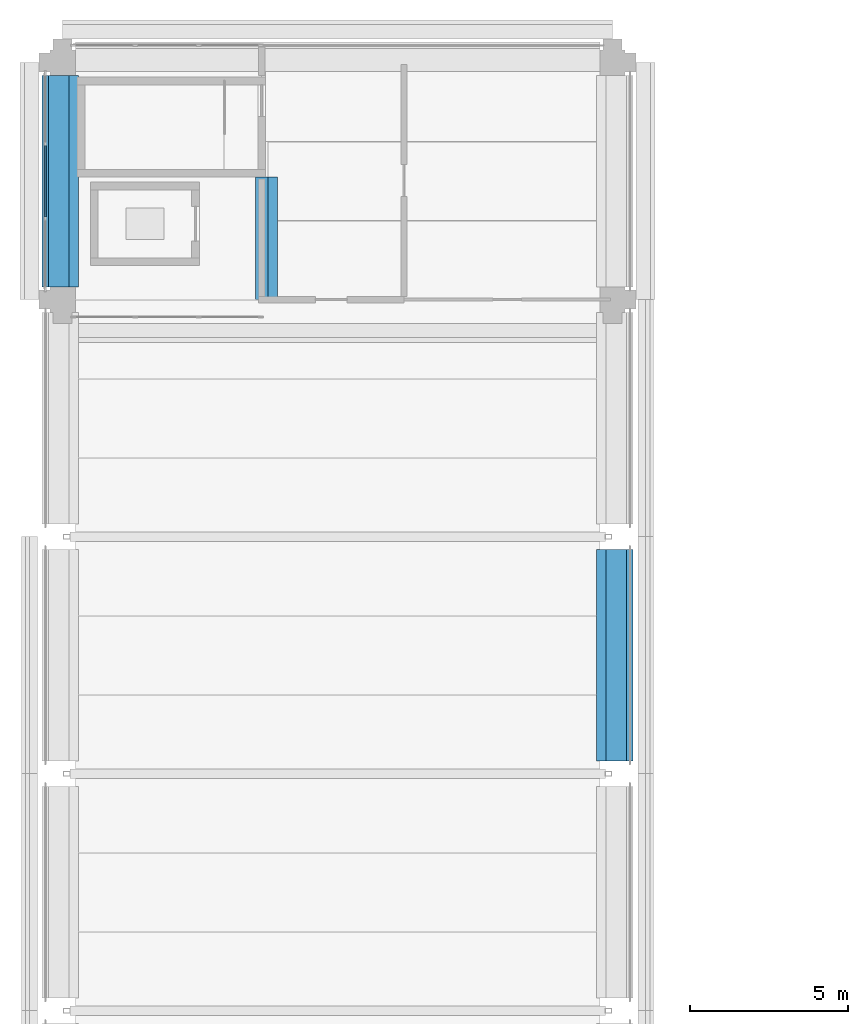
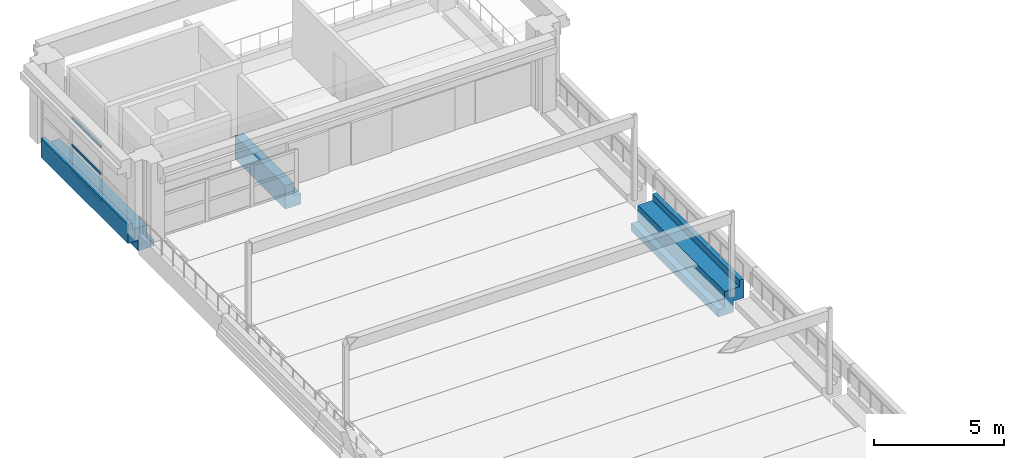
# One storey, part 21 of 62: 3 beams, 3 members, 1 element without a shape of its own.
"""IFC4 building model written with IfcOpenShell, lengths in metres."""

from ifc_helpers import new_model, si_unit, direction, frame, origin, origin_2d, place, context, subcontext, project, spatial, polyline, rectangle, outline, extrude, material, layer, layer_set, material_profile, profile_set, type_object, element, aggregate, save


model = new_model("IFC4")

# Units and contexts
model_context = context("Model", 3, precision=1e-05, world=origin(), true_north=direction((0.0, 1.0)))
body_context = subcontext(model_context, "Body", "Model", "MODEL_VIEW")
ifc_project = project(units=[si_unit("LENGTHUNIT", "METRE"), si_unit("AREAUNIT", "SQUARE_METRE"), si_unit("VOLUMEUNIT", "CUBIC_METRE"), si_unit("PLANEANGLEUNIT", "RADIAN"), si_unit("MASSUNIT", "GRAM", prefix="KILO")], contexts=[model_context])

# Site, building, storey
site_placement = place(None, origin())
site = spatial("IfcSite", under=ifc_project, at=site_placement, CompositionType="ELEMENT")
building_placement = place(site_placement, origin())
building = spatial("IfcBuilding", under=site, at=building_placement, Name="Cour d'Honneur Mobility Palace", CompositionType="ELEMENT")
storey_placement = place(building_placement, frame((0.0, 0.0, 19.300048828125)))
storey = spatial("IfcBuildingStorey", under=building, at=storey_placement, Name="L05", CompositionType="ELEMENT", Elevation=19.300048828125)

# Curtain wall, members
ifc_material_1 = material(Name="Aluminium and glass", Category="aluminium")
ifc_layer = layer(ifc_material_1, 0.10009765625)
ifc_layer_set = layer_set([ifc_layer], Name="Aluminium and glass")
curtain_wall_type = type_object("IfcCurtainWallType", Name="Curtain wall run", PredefinedType="NOTDEFINED", material=ifc_layer_set)
curtain_wall_placement = place(storey_placement, origin())
curtain_wall = element("IfcCurtainWall", 1, at=curtain_wall_placement, inside=storey, type_object=curtain_wall_type, Name="Curtain wall CW-133", PredefinedType="NOTDEFINED")
ifc_material_2 = material(Name="Aluminium", Category="aluminium")
ifc_material_profile_1 = material_profile(ifc_material_2, rectangle(XDim=0.06005859375, YDim=0.1201171875, at=origin_2d()), Name="Curtain wall transom")
ifc_profile_set_1 = profile_set([ifc_material_profile_1], Name="Aluminium")
member_type = type_object("IfcMemberType", Name="Curtain wall transom", PredefinedType="USERDEFINED", material=ifc_profile_set_1)
member_1_placement = place(storey_placement, frame((-0.550048828125, 112.27001953125, 0.030029296875), z_axis=(0.0, -1.0, 0.0), x_axis=(1.0, 0.0, 0.0)))
member_1 = element("IfcMember", 2, at=member_1_placement, type_object=member_type, Name="CW-133 transom 2.1", ObjectType="TRANSOM", PredefinedType="USERDEFINED", context=body_context, shape_type="SweptSolid", body=[
    extrude(rectangle(XDim=0.06005859375, YDim=0.1201171875, at=origin_2d()), origin(), (0.0, 0.0, 1.0), 2.239990234375),
])
member_2_placement = place(storey_placement, frame((-0.550048828125, 112.27001953125, 1.300048828125), z_axis=(0.0, -1.0, 0.0), x_axis=(1.0, 0.0, 0.0)))
member_2 = element("IfcMember", 3, at=member_2_placement, type_object=member_type, Name="CW-133 transom 2.2", ObjectType="TRANSOM", PredefinedType="USERDEFINED", context=body_context, shape_type="SweptSolid", body=[
    extrude(rectangle(XDim=0.06005859375, YDim=0.1201171875, at=origin_2d()), origin(), (0.0, 0.0, 1.0), 2.239990234375),
])
member_3_placement = place(storey_placement, frame((-0.550048828125, 112.27001953125, 2.570068359375), z_axis=(0.0, -1.0, 0.0), x_axis=(1.0, 0.0, 0.0)))
member_3 = element("IfcMember", 4, at=member_3_placement, type_object=member_type, Name="CW-133 transom 2.3", ObjectType="TRANSOM", PredefinedType="USERDEFINED", context=body_context, shape_type="SweptSolid", body=[
    extrude(rectangle(XDim=0.06005859375, YDim=0.1201171875, at=origin_2d()), origin(), (0.0, 0.0, 1.0), 2.239990234375),
])
aggregate(curtain_wall, [member_1, member_2, member_3])

# Beams
ifc_material_3 = material(Name="Concrete C45", Category="concrete")
ifc_material_profile_2 = material_profile(ifc_material_3, outline(polyline([(0.5, -1.10009765625), (0.5, -0.75), (0.199951171875, -0.75), (0.199951171875, 0.0), (-0.199951171875, 0.0), (-0.449951171875, 0.0), (-0.449951171875, 0.300048828125), (-0.64990234375, 0.300048828125), (-0.64990234375, -0.60009765625), (-0.199951171875, -0.60009765625), (-0.199951171875, -1.10009765625), (0.5, -1.10009765625)])), Name="Ledger Beam 400x1100 ledge left 350 facade right")
ifc_profile_set_2 = profile_set([ifc_material_profile_2], Name="Concrete C45")
beam_type_1 = type_object("IfcBeamType", Name="Ledger Beam 400x1100 ledge left 350 facade right", PredefinedType="BEAM", material=ifc_profile_set_2)
beam_1_placement = place(storey_placement, frame((17.39990234375, 92.800048828125, 0.0), z_axis=(0.0, 1.0, 0.0), x_axis=(-1.0, 0.0, 0.0)))
element("IfcBeam", 5, at=beam_1_placement, inside=storey, type_object=beam_type_1, Name="Precast beam B2 M-N L05", PredefinedType="BEAM", context=body_context, shape_type="SweptSolid", body=[
    extrude(outline(polyline([(0.5, -1.10009765625), (0.5, -0.75), (0.199951171875, -0.75), (0.199951171875, 0.0), (-0.199951171875, 0.0), (-0.449951171875, 0.0), (-0.449951171875, 0.300048828125), (-0.64990234375, 0.300048828125), (-0.64990234375, -0.60009765625), (-0.199951171875, -0.60009765625), (-0.199951171875, -1.10009765625), (0.5, -1.10009765625)])), origin(), (0.0, 0.0, 1.0), 6.699951171875),
])
ifc_material_4 = material(Name="Concrete C45", Category="concrete")
ifc_material_profile_3 = material_profile(ifc_material_4, outline(polyline([(0.199951171875, -1.10009765625), (0.199951171875, -0.60009765625), (0.64990234375, -0.60009765625), (0.64990234375, 0.300048828125), (0.449951171875, 0.300048828125), (0.449951171875, 0.0), (0.199951171875, 0.0), (-0.199951171875, 0.0), (-0.199951171875, -0.800048828125), (-0.5, -0.800048828125), (-0.5, -1.10009765625), (0.199951171875, -1.10009765625)])), Name="Ledger Beam 400x1100 ledge right 300 facade left")
ifc_profile_set_3 = profile_set([ifc_material_profile_3], Name="Concrete C45")
beam_type_2 = type_object("IfcBeamType", Name="Ledger Beam 400x1100 ledge right 300 facade left", PredefinedType="BEAM", material=ifc_profile_set_3)
beam_2_placement = place(storey_placement, frame((0.0, 107.800048828125, 0.0), z_axis=(0.0, 1.0, 0.0), x_axis=(-1.0, 0.0, 0.0)))
element("IfcBeam", 6, at=beam_2_placement, inside=storey, type_object=beam_type_2, Name="Precast beam B6 P-Q L05", PredefinedType="BEAM", context=body_context, shape_type="SweptSolid", body=[
    extrude(outline(polyline([(0.199951171875, -1.10009765625), (0.199951171875, -0.60009765625), (0.64990234375, -0.60009765625), (0.64990234375, 0.300048828125), (0.449951171875, 0.300048828125), (0.449951171875, 0.0), (0.199951171875, 0.0), (-0.199951171875, 0.0), (-0.199951171875, -0.800048828125), (-0.5, -0.800048828125), (-0.5, -1.10009765625), (0.199951171875, -1.10009765625)])), origin(), (0.0, 0.0, 1.0), 6.699951171875),
])
ifc_material_5 = material(Name="Concrete C45", Category="concrete")
ifc_material_profile_4 = material_profile(ifc_material_5, outline(polyline([(0.199951171875, -1.10009765625), (0.199951171875, 0.0), (-0.199951171875, 0.0), (-0.199951171875, -0.60009765625), (-0.5, -0.60009765625), (-0.5, -1.10009765625), (0.199951171875, -1.10009765625)])), Name="Ledger Beam 400x1100 ledge right 500 plain")
ifc_profile_set_4 = profile_set([ifc_material_profile_4], Name="Concrete C45")
beam_type_3 = type_object("IfcBeamType", Name="Ledger Beam 400x1100 ledge right 500 plain", PredefinedType="BEAM", material=ifc_profile_set_4)
beam_3_placement = place(storey_placement, frame((6.300048828125, 107.39990234375, 0.0), z_axis=(0.0, 1.0, 0.0), x_axis=(-1.0, 0.0, 0.0)))
element("IfcBeam", 7, at=beam_3_placement, inside=storey, type_object=beam_type_3, Name="Precast beam B9 P- L05", PredefinedType="BEAM", context=body_context, shape_type="SweptSolid", body=[
    extrude(outline(polyline([(0.199951171875, -1.10009765625), (0.199951171875, 0.0), (-0.199951171875, 0.0), (-0.199951171875, -0.60009765625), (-0.5, -0.60009765625), (-0.5, -1.10009765625), (0.199951171875, -1.10009765625)])), origin(), (0.0, 0.0, 1.0), 3.875),
])

save(model, "model.ifc")
